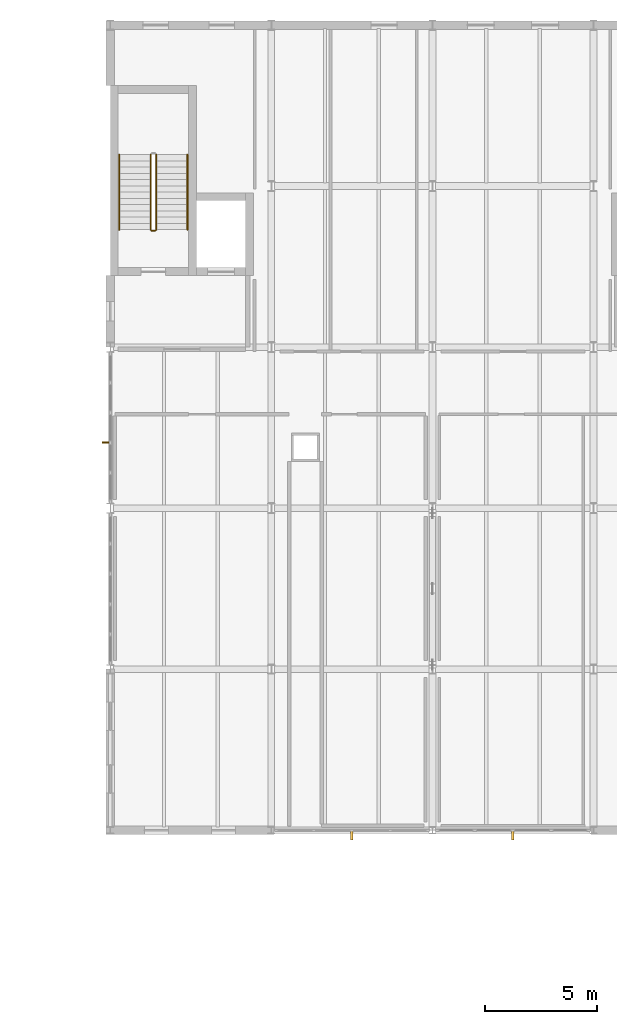
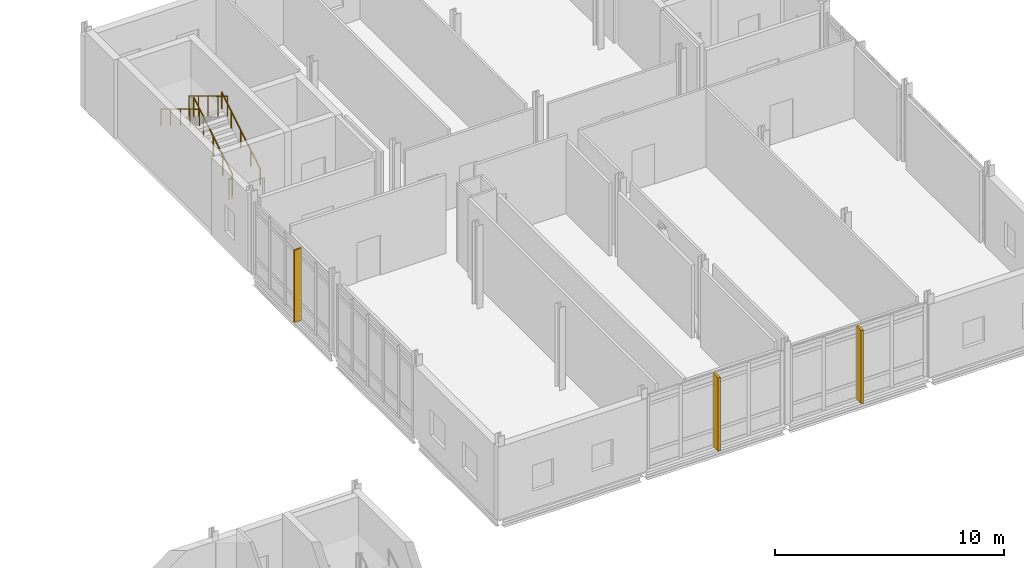
# One storey, part 73 of 76: 5 railings, 3 shading devices.
"""IFC4 building model written with IfcOpenShell, lengths in metres."""

from ifc_helpers import new_model, si_unit, direction, frame, origin, origin_2d, place, context, subcontext, project, spatial, rectangle, circle, extrude, material, layer, layer_set, type_object, element, save


model = new_model("IFC4")

# Units and contexts
model_context = context("Model", 3, precision=1e-05, world=origin(), true_north=direction((0.0, 1.0)))
body_context = subcontext(model_context, "Body", "Model", "MODEL_VIEW")
ifc_project = project(units=[si_unit("LENGTHUNIT", "METRE"), si_unit("AREAUNIT", "SQUARE_METRE"), si_unit("VOLUMEUNIT", "CUBIC_METRE"), si_unit("PLANEANGLEUNIT", "RADIAN"), si_unit("MASSUNIT", "GRAM", prefix="KILO")], contexts=[model_context])

# Site, building, storey
site_placement = place(None, origin())
site = spatial("IfcSite", under=ifc_project, at=site_placement, CompositionType="ELEMENT")
building_placement = place(site_placement, origin())
building = spatial("IfcBuilding", under=site, at=building_placement, Name="Zarrinpeak Specialist Clinic", CompositionType="ELEMENT")
storey_placement = place(building_placement, frame((0.0, 0.0, 5.199951171875)))
storey = spatial("IfcBuildingStorey", under=building, at=storey_placement, Name="L01", CompositionType="ELEMENT", Elevation=5.199951171875)

# Railings
ifc_material_1 = material(Name="Laminated Safety Glass and Stainless Steel 316", Category="steel")
ifc_layer_1 = layer(ifc_material_1, 0.06005859375)
ifc_layer_set_1 = layer_set([ifc_layer_1], Name="Laminated Safety Glass and Stainless Steel 316")
railing_type_1 = type_object("IfcRailingType", Name="RL-GRD115", PredefinedType="GUARDRAIL", material=ifc_layer_set_1)
railing_1_placement = place(storey_placement, frame((38.050048828125, 108.85009765625, 0.169189453125)))
element("IfcRailing", 1, at=railing_1_placement, inside=storey, type_object=railing_type_1, Name="L01 ST-11 stair guard 1", PredefinedType="GUARDRAIL", context=body_context, shape_type="SweptSolid", body=[
    extrude(circle(Radius=0.02392578125, at=origin_2d()), frame((0.0, 0.0, 1.076171875), z_axis=(0.0, 0.855820338506, 0.51727318527), x_axis=(-1.0, 0.0, 0.0)), (0.0, 0.0, 1.0), 3.92578125),
    extrude(circle(Radius=0.02099609375, at=origin_2d()), origin(), (0.0, 0.0, 1.0), 1.052001953125),
    extrude(circle(Radius=0.02099609375, at=origin_2d()), frame((0.0, 0.83984375, 0.5078125)), (0.0, 0.0, 1.0), 1.052001953125),
    extrude(circle(Radius=0.02099609375, at=origin_2d()), frame((0.0, 1.679931640625, 1.015380859375)), (0.0, 0.0, 1.0), 1.052001953125),
    extrude(circle(Radius=0.02099609375, at=origin_2d()), frame((0.0, 2.52001953125, 1.52294921875)), (0.0, 0.0, 1.0), 1.052001953125),
    extrude(circle(Radius=0.02099609375, at=origin_2d()), frame((0.0, 3.35986328125, 2.03076171875)), (0.0, 0.0, 1.0), 1.052001953125),
])
railing_2_placement = place(storey_placement, frame((37.800048828125, 112.2099609375, 2.369384765625)))
element("IfcRailing", 2, at=railing_2_placement, inside=storey, type_object=railing_type_1, Name="L01 ST-11 stair guard 3", PredefinedType="GUARDRAIL", context=body_context, shape_type="SweptSolid", body=[
    extrude(circle(Radius=0.02392578125, at=origin_2d()), frame((0.0, 0.0, 1.076171875), z_axis=(0.0, -0.855820338506, 0.51727318527), x_axis=(1.0, 0.0, 0.0)), (0.0, 0.0, 1.0), 3.92578125),
    extrude(circle(Radius=0.02099609375, at=origin_2d()), origin(), (0.0, 0.0, 1.0), 1.052001953125),
    extrude(circle(Radius=0.02099609375, at=origin_2d()), frame((0.0, -0.83984375, 0.5078125)), (0.0, 0.0, 1.0), 1.052001953125),
    extrude(circle(Radius=0.02099609375, at=origin_2d()), frame((0.0, -1.679931640625, 1.015380859375)), (0.0, 0.0, 1.0), 1.052001953125),
    extrude(circle(Radius=0.02099609375, at=origin_2d()), frame((0.0, -2.52001953125, 1.52294921875)), (0.0, 0.0, 1.0), 1.052001953125),
    extrude(circle(Radius=0.02099609375, at=origin_2d()), frame((0.0, -3.35986328125, 2.03076171875)), (0.0, 0.0, 1.0), 1.052001953125),
])
railing_3_placement = place(storey_placement, frame((38.0, 108.800048828125, 0.0)))
element("IfcRailing", 3, at=railing_3_placement, inside=storey, type_object=railing_type_1, Name="L01 ST-11 stair guard 4", PredefinedType="GUARDRAIL", context=body_context, shape_type="SweptSolid", body=[
    extrude(circle(Radius=0.02392578125, at=origin_2d()), frame((0.0, 0.0, 1.076171875), z_axis=(-1.0, 0.0, 0.0), x_axis=(0.0, -1.0, 0.0)), (0.0, 0.0, 1.0), 0.14990234375),
    extrude(circle(Radius=0.02099609375, at=origin_2d()), origin(), (0.0, 0.0, 1.0), 1.052001953125),
    extrude(circle(Radius=0.02099609375, at=origin_2d()), frame((-0.14990234375, 0.0, 0.0)), (0.0, 0.0, 1.0), 1.052001953125),
])
ifc_material_2 = material(Name="Brushed Stainless Steel 316 Handrail", Category="steel")
ifc_layer_2 = layer(ifc_material_2, 0.050048828125)
ifc_layer_set_2 = layer_set([ifc_layer_2], Name="Brushed Stainless Steel 316 Handrail")
railing_type_2 = type_object("IfcRailingType", Name="RL-HND92", PredefinedType="HANDRAIL", material=ifc_layer_set_2)
railing_4_placement = place(storey_placement, frame((39.449951171875, 108.85009765625, 0.169189453125)))
element("IfcRailing", 4, at=railing_4_placement, inside=storey, type_object=railing_type_2, Name="L01 ST-11 stair handrail 1", PredefinedType="HANDRAIL", context=body_context, shape_type="SweptSolid", body=[
    extrude(circle(Radius=0.02392578125, at=origin_2d()), frame((0.0, 0.0, 0.8759765625), z_axis=(0.0, 0.855820338506, 0.51727318527), x_axis=(-1.0, 0.0, 0.0)), (0.0, 0.0, 1.0), 3.92578125),
    extrude(circle(Radius=0.02099609375, at=origin_2d()), origin(), (0.0, 0.0, 1.0), 0.851806640625),
    extrude(circle(Radius=0.02099609375, at=origin_2d()), frame((0.0, 0.83984375, 0.5078125)), (0.0, 0.0, 1.0), 0.851806640625),
    extrude(circle(Radius=0.02099609375, at=origin_2d()), frame((0.0, 1.679931640625, 1.015380859375)), (0.0, 0.0, 1.0), 0.851806640625),
    extrude(circle(Radius=0.02099609375, at=origin_2d()), frame((0.0, 2.52001953125, 1.52294921875)), (0.0, 0.0, 1.0), 0.851806640625),
    extrude(circle(Radius=0.02099609375, at=origin_2d()), frame((0.0, 3.35986328125, 2.03076171875)), (0.0, 0.0, 1.0), 0.851806640625),
])
railing_5_placement = place(storey_placement, frame((36.39990234375, 112.2099609375, 2.369384765625)))
element("IfcRailing", 5, at=railing_5_placement, inside=storey, type_object=railing_type_2, Name="L01 ST-11 stair handrail 2", PredefinedType="HANDRAIL", context=body_context, shape_type="SweptSolid", body=[
    extrude(circle(Radius=0.02392578125, at=origin_2d()), frame((0.0, 0.0, 0.8759765625), z_axis=(0.0, -0.855820338506, 0.51727318527), x_axis=(1.0, 0.0, 0.0)), (0.0, 0.0, 1.0), 3.92578125),
    extrude(circle(Radius=0.02099609375, at=origin_2d()), origin(), (0.0, 0.0, 1.0), 0.851806640625),
    extrude(circle(Radius=0.02099609375, at=origin_2d()), frame((0.0, -0.83984375, 0.5078125)), (0.0, 0.0, 1.0), 0.851806640625),
    extrude(circle(Radius=0.02099609375, at=origin_2d()), frame((0.0, -1.679931640625, 1.015380859375)), (0.0, 0.0, 1.0), 0.851806640625),
    extrude(circle(Radius=0.02099609375, at=origin_2d()), frame((0.0, -2.52001953125, 1.52294921875)), (0.0, 0.0, 1.0), 0.851806640625),
    extrude(circle(Radius=0.02099609375, at=origin_2d()), frame((0.0, -3.35986328125, 2.03076171875)), (0.0, 0.0, 1.0), 0.851806640625),
])

# Shading devices
ifc_material_3 = material(Name="Anodised Bronze Aluminium", Category="aluminium")
shading_device_type_1 = type_object("IfcShadingDeviceType", Name="SHD-FIN-BZ", PredefinedType="JALOUSIE", material=ifc_material_3)
shading_device_placement = place(storey_placement, frame((35.8349609375, 99.330078125, -0.01513671875), z_axis=(0.0, 0.0, 1.0), x_axis=(1.0, 0.0, 0.0)))
element("IfcShadingDevice", 6, at=shading_device_placement, inside=storey, type_object=shading_device_type_1, Name="L01 V6 Solar Control Fin FIN-087", PredefinedType="JALOUSIE", context=body_context, shape_type="SweptSolid", body=[
    extrude(rectangle(XDim=0.3798828125, YDim=0.074951171875, at=origin_2d()), origin(), (0.0, 0.0, 1.0), 3.840087890625),
])
ifc_material_4 = material(Name="Glulam GL28h", Category="wood")
shading_device_type_2 = type_object("IfcShadingDeviceType", Name="SHD-FIN-GL", PredefinedType="USERDEFINED", material=ifc_material_4)
for number, where, z_axis, x_axis, name in (
    (7, (46.800048828125, 81.800048828125, -0.01513671875), (0.0, 0.0, 1.0), (1.0, 0.0, 0.0), "L01 V6 Cedar-Glulam Courtyard Fin FIN-085"),
    (8, (54.0, 81.800048828125, -0.01513671875), (0.0, 0.0, 1.0), (1.0, 0.0, 0.0), "L01 V6 Cedar-Glulam Courtyard Fin FIN-086"),
):
    element("IfcShadingDevice", number, at=place(storey_placement, frame(where, z_axis=z_axis, x_axis=x_axis)), inside=storey, type_object=shading_device_type_2, Name=name, ObjectType="SUNSHADE", PredefinedType="USERDEFINED", context=body_context, shape_type="SweptSolid", body=[
        extrude(rectangle(XDim=0.110107421875, YDim=0.449951171875, at=origin_2d()), origin(), (0.0, 0.0, 1.0), 3.909912109375),
    ])

save(model, "model.ifc")
